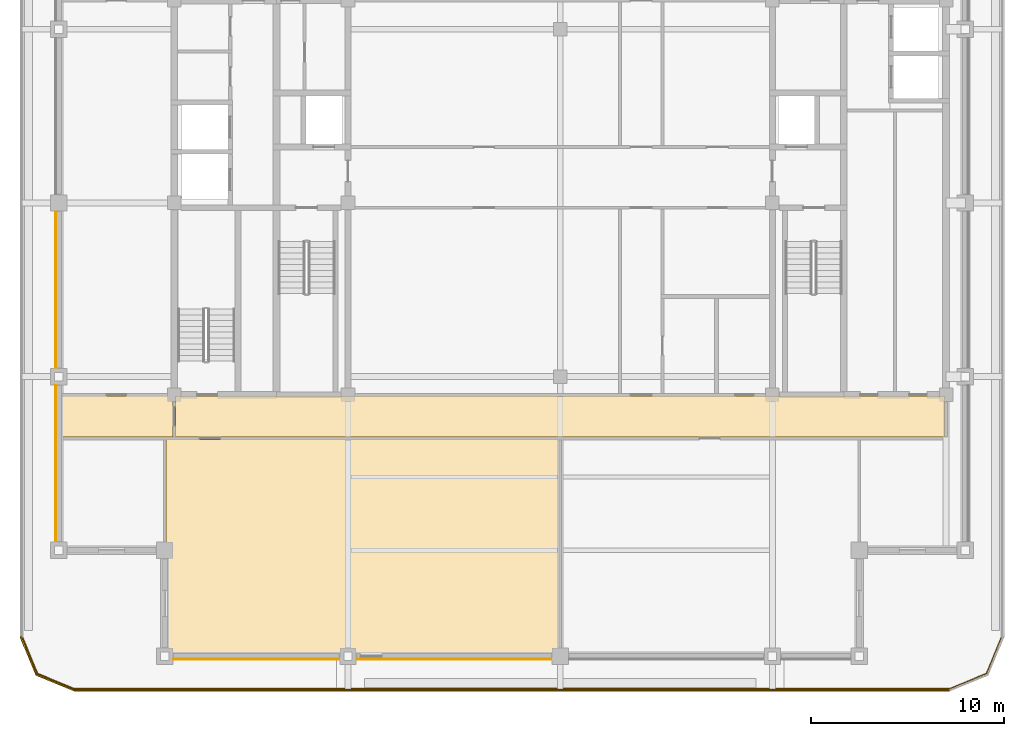
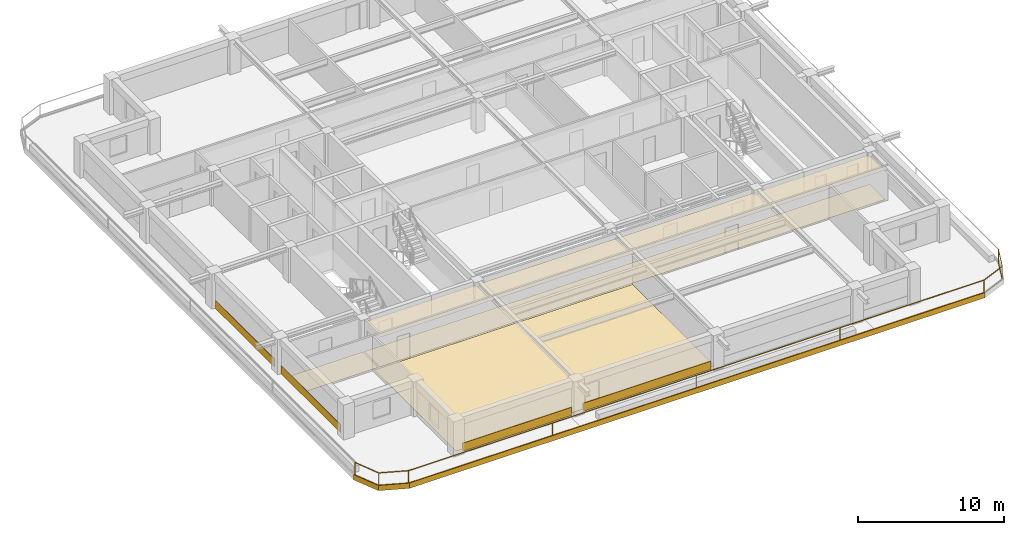
# One storey, part 6 of 10: 11 coverings, 1 railing.
"""IFC4 building model written with IfcOpenShell, lengths in metres."""

from ifc_helpers import new_model, si_unit, direction, frame, frame_2d, origin, origin_2d, place, context, subcontext, project, spatial, polyline, rectangle, outline, extrude, material, layer, layer_set, type_object, element, save


model = new_model("IFC4")

# Units and contexts
model_context = context("Model", 3, precision=1e-05, world=origin(), true_north=direction((0.0, 1.0)))
body_context = subcontext(model_context, "Body", "Model", "MODEL_VIEW")
ifc_project = project(units=[si_unit("LENGTHUNIT", "METRE"), si_unit("AREAUNIT", "SQUARE_METRE"), si_unit("VOLUMEUNIT", "CUBIC_METRE"), si_unit("PLANEANGLEUNIT", "RADIAN"), si_unit("MASSUNIT", "GRAM", prefix="KILO")], contexts=[model_context])

# Site, building, storey
site_placement = place(None, origin())
site = spatial("IfcSite", under=ifc_project, at=site_placement, CompositionType="ELEMENT")
building_placement = place(site_placement, origin())
building = spatial("IfcBuilding", under=site, at=building_placement, Name="Zulmaris Gate Convention Tower", CompositionType="ELEMENT")
storey_placement = place(building_placement, frame((0.0, 0.0, 267.35009765625)))
storey = spatial("IfcBuildingStorey", under=building, at=storey_placement, Name="L71", CompositionType="ELEMENT", Elevation=267.35009765625)

# Coverings
ifc_material_1 = material(Name="Precast concrete C40/50", Category="concrete")
ifc_layer_1 = layer(ifc_material_1, 0.0400390625, Name="Precast concrete C40/50")
ifc_layer_set_1 = layer_set([ifc_layer_1], Name="Precast concrete C40/50")
covering_type_1 = type_object("IfcCoveringType", Name="CLAD-SPANDREL-PRECAST", PredefinedType="CLADDING", material=ifc_layer_set_1)
covering_1_placement = place(storey_placement, frame((-20.044921875, -23.64990234375, 0.0), z_axis=(0.0, 0.0, 1.0), x_axis=(1.0, 0.0, 0.0)))
element("IfcCovering", 1, at=covering_1_placement, inside=storey, type_object=covering_type_1, Name="CLD-L71-S-0_0", PredefinedType="CLADDING", context=body_context, shape_type="SweptSolid", body=[
    extrude(rectangle(XDim=8.58984375, YDim=0.0400390625, at=frame_2d((4.294921875, 0.0))), origin(), (0.0, 0.0, 1.0), 0.679931640625),
])
covering_2_placement = place(storey_placement, frame((-10.544921875, -23.64990234375, 0.0), z_axis=(0.0, 0.0, 1.0), x_axis=(1.0, 0.0, 0.0)))
element("IfcCovering", 2, at=covering_2_placement, inside=storey, type_object=covering_type_1, Name="CLD-L71-S-1_0", PredefinedType="CLADDING", context=body_context, shape_type="SweptSolid", body=[
    extrude(rectangle(XDim=10.08984375, YDim=0.0400390625, at=frame_2d((5.044921875, 0.0))), origin(), (0.0, 0.0, 1.0), 0.679931640625),
])
for number, where, z_axis, x_axis, name in (
    (3, (-26.14990234375, -9.455078125, 0.0), (0.0, 0.0, 1.0), (0.0, -1.0, 0.0), "CLD-L71-W-0_0"),
    (4, (-26.14990234375, -0.455078125, 0.0), (0.0, 0.0, 1.0), (0.0, -1.0, 0.0), "CLD-L71-W-1_0"),
):
    element("IfcCovering", number, at=place(storey_placement, frame(where, z_axis=z_axis, x_axis=x_axis)), inside=storey, type_object=covering_type_1, Name=name, PredefinedType="CLADDING", context=body_context, shape_type="SweptSolid", body=[
        extrude(rectangle(XDim=8.08984375, YDim=0.0400390625, at=frame_2d((4.044921875, 0.0))), origin(), (0.0, 0.0, 1.0), 0.679931640625),
    ])
ifc_material_2 = material(Name="White Glazed Architectural Precast Concrete C40/50", Category="concrete")
ifc_layer_2 = layer(ifc_material_2, 0.080078125, Name="White Glazed Architectural Precast Concrete C40/50")
ifc_layer_set_2 = layer_set([ifc_layer_2], Name="White Glazed Architectural Precast Concrete C40/50")
covering_type_2 = type_object("IfcCoveringType", Name="CLAD-TRAY-FASCIA", PredefinedType="CLADDING", material=ifc_layer_set_2)
covering_3_placement = place(storey_placement, frame((-27.962890625, -22.484619140625, -0.2900390625), z_axis=(0.0, 0.0, 1.0), x_axis=(0.382656984709, -0.923890487046, 0.0)))
element("IfcCovering", 5, at=covering_3_placement, inside=storey, type_object=covering_type_2, Name="FSC-L71-TR-00", PredefinedType="CLADDING", context=body_context, shape_type="SweptSolid", body=[
    extrude(rectangle(XDim=2.14306640625, YDim=0.080078125, at=frame_2d((1.071533203125, 0.0))), origin(), (0.0, 0.0, 1.0), 0.43994140625),
])
covering_4_placement = place(storey_placement, frame((-27.16455078125, -24.44287109375, -0.2900390625), z_axis=(0.0, 0.0, 1.0), x_axis=(0.923873803533, -0.382697263049, 0.0)))
element("IfcCovering", 6, at=covering_4_placement, inside=storey, type_object=covering_type_2, Name="FSC-L71-TR-01", PredefinedType="CLADDING", context=body_context, shape_type="SweptSolid", body=[
    extrude(rectangle(XDim=2.142822265625, YDim=0.080078125, at=frame_2d((1.0712890625, 0.0))), origin(), (0.0, 0.0, 1.0), 0.43994140625),
])
covering_5_placement = place(storey_placement, frame((-25.199951171875, -25.260009765625, -0.2900390625), z_axis=(0.0, 0.0, 1.0), x_axis=(1.0, 0.0, 0.0)))
element("IfcCovering", 7, at=covering_5_placement, inside=storey, type_object=covering_type_2, Name="FSC-L71-TR-02", PredefinedType="CLADDING", context=body_context, shape_type="SweptSolid", body=[
    extrude(rectangle(XDim=45.39990234375, YDim=0.080078125, at=frame_2d((22.699951171875, 0.0))), origin(), (0.0, 0.0, 1.0), 0.43994140625),
])
ifc_material_3 = material(Name="Mineral Fibre Acoustic Ceiling Tile")
ifc_layer_3 = layer(ifc_material_3, 0.02001953125, Name="Mineral Fibre Acoustic Ceiling Tile")
ifc_layer_set_3 = layer_set([ifc_layer_3], Name="Mineral Fibre Acoustic Ceiling Tile")
covering_type_3 = type_object("IfcCoveringType", Name="CLG-ACOUSTIC-600", PredefinedType="CEILING", material=ifc_layer_set_3)
covering_6_placement = place(storey_placement, frame((0.0, 0.0, 2.462890625)))
element("IfcCovering", 8, at=covering_6_placement, inside=storey, type_object=covering_type_3, Name="CLG-L71-R29", PredefinedType="CEILING", context=body_context, shape_type="SweptSolid", body=[
    extrude(outline(polyline([(-19.93994140625, -12.139892578125), (19.93994140625, -12.139892578125), (19.93994140625, -10.010009765625), (-19.93994140625, -10.010009765625), (-19.93994140625, -12.139892578125)])), origin(), (0.0, 0.0, 1.0), 0.02001953125),
])
ifc_material_4 = material(Name="Woven Acoustic Wool Carpet Tile")
ifc_layer_4 = layer(ifc_material_4, 0.02001953125, Name="Woven Acoustic Wool Carpet Tile")
ifc_layer_set_4 = layer_set([ifc_layer_4], Name="Woven Acoustic Wool Carpet Tile")
covering_type_4 = type_object("IfcCoveringType", Name="FLR-CARPET-12", PredefinedType="FLOORING", material=ifc_layer_set_4)
covering_7_placement = place(storey_placement, origin())
element("IfcCovering", 9, at=covering_7_placement, inside=storey, type_object=covering_type_4, Name="FLR-L71-R29", PredefinedType="FLOORING", context=body_context, shape_type="SweptSolid", body=[
    extrude(outline(polyline([(-19.93994140625, -12.139892578125), (19.93994140625, -12.139892578125), (19.93994140625, -10.010009765625), (-19.93994140625, -10.010009765625), (-19.93994140625, -12.139892578125)])), origin(), (0.0, 0.0, 1.0), 0.02001953125),
])
covering_8_placement = place(storey_placement, origin())
element("IfcCovering", 10, at=covering_8_placement, inside=storey, type_object=covering_type_4, Name="FLR-L71-R36", PredefinedType="FLOORING", context=body_context, shape_type="SweptSolid", body=[
    extrude(outline(polyline([(-20.43994140625, -23.43994140625), (-0.06005859375, -23.43994140625), (-0.06005859375, -12.260009765625), (-20.43994140625, -12.260009765625), (-20.43994140625, -23.43994140625)])), origin(), (0.0, 0.0, 1.0), 0.02001953125),
])
covering_9_placement = place(storey_placement, origin())
element("IfcCovering", 11, at=covering_9_placement, inside=storey, type_object=covering_type_4, Name="FLR-L71-R45", PredefinedType="FLOORING", context=body_context, shape_type="SweptSolid", body=[
    extrude(outline(polyline([(-25.93994140625, -12.139892578125), (-20.06005859375, -12.139892578125), (-20.06005859375, -10.010009765625), (-25.93994140625, -10.010009765625), (-25.93994140625, -12.139892578125)])), origin(), (0.0, 0.0, 1.0), 0.02001953125),
])

# Railing
ifc_material_5 = material(Name="Laminated Glass and Stainless Steel", Category="steel")
railing_type = type_object("IfcRailingType", Name="RL-BALC-1150", PredefinedType="BALUSTRADE", material=ifc_material_5)
railing_placement = place(storey_placement, frame((-27.8798828125, -22.5, -0.010009765625)))
element("IfcRailing", 12, at=railing_placement, inside=storey, type_object=railing_type, Name="RL-L71-BALC-S", PredefinedType="BALUSTRADE", context=body_context, shape_type="SweptSolid", body=[
    extrude(rectangle(XDim=0.048095703125, YDim=0.048095703125, at=origin_2d()), frame((0.0, 0.0, 1.1259765625), z_axis=(0.382670664694, -0.92388482095, 0.0), x_axis=(0.92388482095, 0.382670664694, 0.0)), (0.0, 0.0, 1.0), 2.051025390625),
    extrude(rectangle(XDim=0.048095703125, YDim=0.048095703125, at=origin_2d()), frame((0.0, 0.0, 0.02392578125), z_axis=(0.382670664694, -0.92388482095, 0.0), x_axis=(0.92388482095, 0.382670664694, 0.0)), (0.0, 0.0, 1.0), 2.051025390625),
    extrude(rectangle(XDim=0.048095703125, YDim=0.048095703125, at=origin_2d()), frame((0.784912109375, -1.89501953125, 1.1259765625), z_axis=(0.92388482095, -0.382670664694, 0.0), x_axis=(0.382670664694, 0.92388482095, 0.0)), (0.0, 0.0, 1.0), 2.051025390625),
    extrude(rectangle(XDim=0.048095703125, YDim=0.048095703125, at=origin_2d()), frame((0.784912109375, -1.89501953125, 0.02392578125), z_axis=(0.92388482095, -0.382670664694, 0.0), x_axis=(0.382670664694, 0.92388482095, 0.0)), (0.0, 0.0, 1.0), 2.051025390625),
    extrude(rectangle(XDim=0.048095703125, YDim=0.048095703125, at=origin_2d()), frame((2.679931640625, -2.679931640625, 1.1259765625), z_axis=(1.0, 0.0, 0.0), x_axis=(0.0, 1.0, 0.0)), (0.0, 0.0, 1.0), 45.39990234375),
    extrude(rectangle(XDim=0.048095703125, YDim=0.048095703125, at=origin_2d()), frame((2.679931640625, -2.679931640625, 0.02392578125), z_axis=(1.0, 0.0, 0.0), x_axis=(0.0, 1.0, 0.0)), (0.0, 0.0, 1.0), 45.39990234375),
    extrude(rectangle(XDim=0.048095703125, YDim=0.048095703125, at=origin_2d()), frame((48.079833984375, -2.679931640625, 1.1259765625), z_axis=(0.92388482095, 0.382670664694, 0.0), x_axis=(-0.382670664694, 0.92388482095, 0.0)), (0.0, 0.0, 1.0), 2.051025390625),
    extrude(rectangle(XDim=0.048095703125, YDim=0.048095703125, at=origin_2d()), frame((48.079833984375, -2.679931640625, 0.02392578125), z_axis=(0.92388482095, 0.382670664694, 0.0), x_axis=(-0.382670664694, 0.92388482095, 0.0)), (0.0, 0.0, 1.0), 2.051025390625),
    extrude(rectangle(XDim=0.048095703125, YDim=0.048095703125, at=origin_2d()), frame((49.974853515625, -1.89501953125, 1.1259765625), z_axis=(0.382670664694, 0.92388482095, 0.0), x_axis=(-0.92388482095, 0.382670664694, 0.0)), (0.0, 0.0, 1.0), 2.051025390625),
    extrude(rectangle(XDim=0.048095703125, YDim=0.048095703125, at=origin_2d()), frame((49.974853515625, -1.89501953125, 0.02392578125), z_axis=(0.382670664694, 0.92388482095, 0.0), x_axis=(-0.92388482095, 0.382670664694, 0.0)), (0.0, 0.0, 1.0), 2.051025390625),
    extrude(rectangle(XDim=0.0419921875, YDim=0.0419921875, at=origin_2d()), origin(), (0.0, 0.0, 1.0), 1.101806640625),
    extrude(rectangle(XDim=0.0419921875, YDim=0.0419921875, at=origin_2d()), frame((0.784912109375, -1.89501953125, 0.0)), (0.0, 0.0, 1.0), 1.101806640625),
    extrude(rectangle(XDim=0.0419921875, YDim=0.0419921875, at=origin_2d()), frame((2.679931640625, -2.679931640625, 0.0)), (0.0, 0.0, 1.0), 1.101806640625),
    extrude(rectangle(XDim=0.0419921875, YDim=0.0419921875, at=origin_2d()), frame((14.02978515625, -2.679931640625, 0.0)), (0.0, 0.0, 1.0), 1.101806640625),
    extrude(rectangle(XDim=0.0419921875, YDim=0.0419921875, at=origin_2d()), frame((25.3798828125, -2.679931640625, 0.0)), (0.0, 0.0, 1.0), 1.101806640625),
    extrude(rectangle(XDim=0.0419921875, YDim=0.0419921875, at=origin_2d()), frame((36.72998046875, -2.679931640625, 0.0)), (0.0, 0.0, 1.0), 1.101806640625),
    extrude(rectangle(XDim=0.0419921875, YDim=0.0419921875, at=origin_2d()), frame((48.079833984375, -2.679931640625, 0.0)), (0.0, 0.0, 1.0), 1.101806640625),
    extrude(rectangle(XDim=0.0419921875, YDim=0.0419921875, at=origin_2d()), frame((49.974853515625, -1.89501953125, 0.0)), (0.0, 0.0, 1.0), 1.101806640625),
    extrude(rectangle(XDim=0.0419921875, YDim=0.0419921875, at=origin_2d()), frame((50.759765625, 0.0, 0.0)), (0.0, 0.0, 1.0), 1.101806640625),
])

save(model, "model.ifc")
